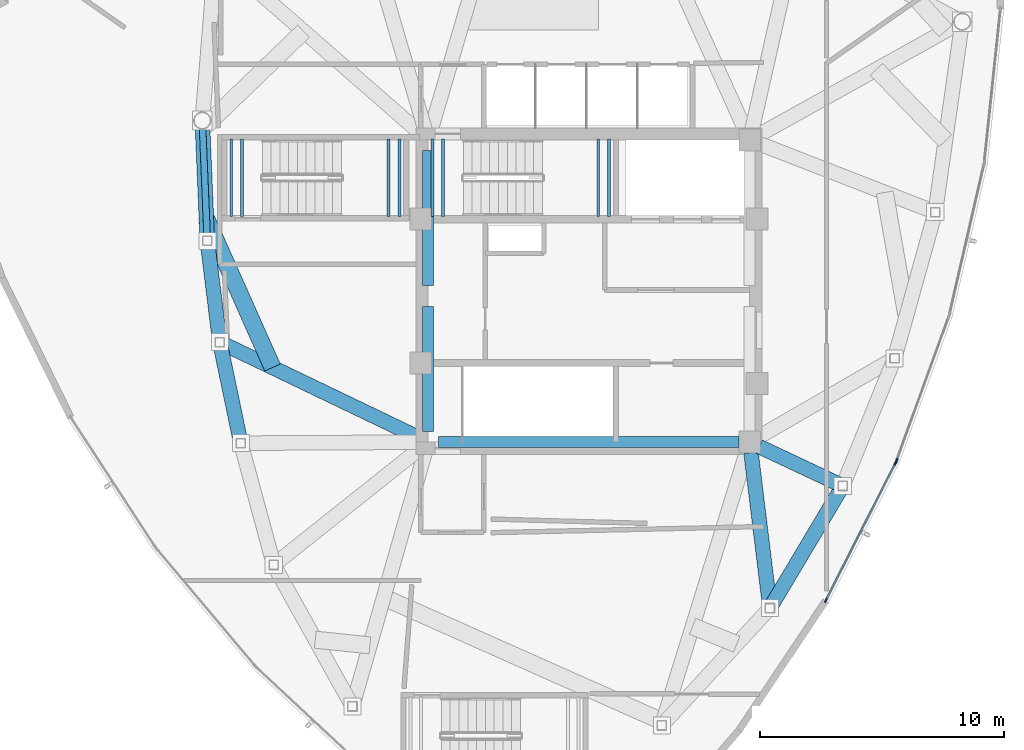
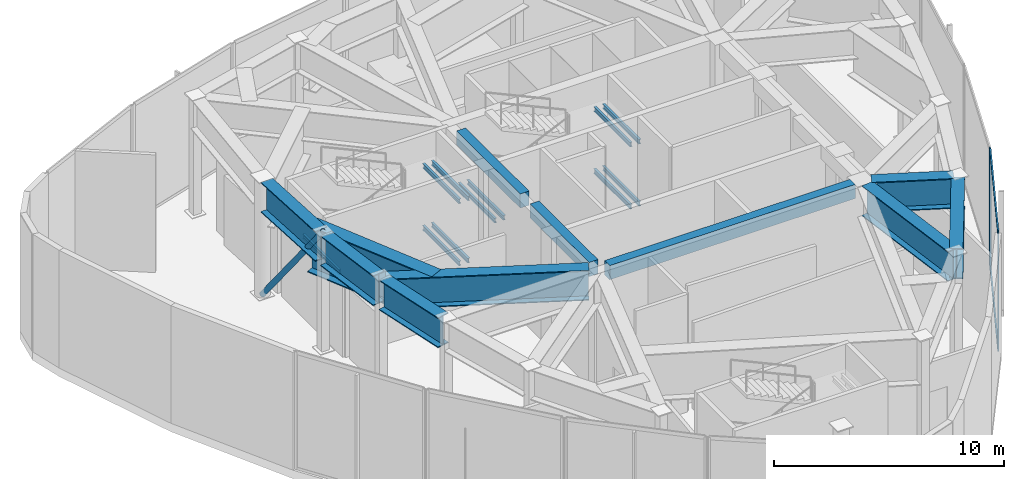
# One storey, part 3 of 13: 23 beams, 6 members, 2 elements without a shape of their own.
"""IFC4 building model written with IfcOpenShell, lengths in metres."""

from ifc_helpers import new_model, si_unit, direction, frame, origin, origin_2d, place, context, subcontext, project, spatial, rectangle, hollow_rectangle, hollow_circle, i_section, extrude, source, transform, mapped, material, layer, layer_set, material_profile, profile_set, type_object, type_shapes, element, aggregate, save


model = new_model("IFC4")

# Units and contexts
model_context = context("Model", 3, precision=1e-05, world=origin(), true_north=direction((0.0, 1.0)))
body_context = subcontext(model_context, "Body", "Model", "MODEL_VIEW")
ifc_project = project(units=[si_unit("LENGTHUNIT", "METRE"), si_unit("AREAUNIT", "SQUARE_METRE"), si_unit("VOLUMEUNIT", "CUBIC_METRE"), si_unit("PLANEANGLEUNIT", "RADIAN"), si_unit("MASSUNIT", "GRAM", prefix="KILO")], contexts=[model_context])

# Site, building, storey
site_placement = place(None, origin())
site = spatial("IfcSite", under=ifc_project, at=site_placement, CompositionType="ELEMENT")
building_placement = place(site_placement, origin())
building = spatial("IfcBuilding", under=site, at=building_placement, Name="Tavelor Broadcast Tower", CompositionType="ELEMENT")
storey_placement = place(building_placement, frame((0.0, 0.0, 325.5)))
storey = spatial("IfcBuildingStorey", under=building, at=storey_placement, Name="L78", CompositionType="ELEMENT", Elevation=325.5)

# Beams
ifc_material_1 = material(Name="Concrete C40/50", Category="concrete")
ifc_material_profile_1 = material_profile(ifc_material_1, rectangle(XDim=0.449951171875, YDim=0.75, at=origin_2d()), Name="RC 450x750")
ifc_profile_set_1 = profile_set([ifc_material_profile_1], Name="Concrete C40/50")
beam_type_1 = type_object("IfcBeamType", Name="Basement Core Trim Beam 450x750", PredefinedType="BEAM", material=ifc_profile_set_1)
beam_1_placement = place(storey_placement, frame((43.39990234375, 45.23193359375, 5.875), z_axis=(0.0, 1.0, 0.0), x_axis=(-1.0, 0.0, 0.0)))
element("IfcBeam", 1, at=beam_1_placement, inside=storey, type_object=beam_type_1, Name="L78 Core West-N Tie Girder", PredefinedType="BEAM", context=body_context, shape_type="SweptSolid", body=[
    extrude(rectangle(XDim=0.449951171875, YDim=0.75, at=origin_2d()), origin(), (0.0, 0.0, 1.0), 5.5361328125),
])
beam_2_placement = place(storey_placement, frame((43.83203125, 38.800048828125, 5.875), z_axis=(1.0, 0.0, 0.0), x_axis=(0.0, 1.0, 0.0)))
element("IfcBeam", 2, at=beam_2_placement, inside=storey, type_object=beam_type_1, Name="L78 Core South Tie Girder", PredefinedType="BEAM", context=body_context, shape_type="SweptSolid", body=[
    extrude(rectangle(XDim=0.449951171875, YDim=0.75, at=origin_2d()), origin(), (0.0, 0.0, 1.0), 12.3359375),
])
beam_3_placement = place(storey_placement, frame((43.39990234375, 39.23193359375, 5.875), z_axis=(0.0, 1.0, 0.0), x_axis=(-1.0, 0.0, 0.0)))
element("IfcBeam", 3, at=beam_3_placement, inside=storey, type_object=beam_type_1, Name="L78 Core West-S Tie Girder", PredefinedType="BEAM", context=body_context, shape_type="SweptSolid", body=[
    extrude(rectangle(XDim=0.449951171875, YDim=0.75, at=origin_2d()), origin(), (0.0, 0.0, 1.0), 5.135986328125),
])
ifc_material_2 = material(Name="Steel S460", Category="steel")
ifc_material_profile_2 = material_profile(ifc_material_2, i_section(OverallWidth=0.60009765625, OverallDepth=1.60009765625, WebThickness=0.028076171875, FlangeThickness=0.048095703125, at=origin_2d()), Name="PG 1600x600")
ifc_profile_set_2 = profile_set([ifc_material_profile_2], Name="Steel S460")
beam_type_2 = type_object("IfcBeamType", Name="Crown and Spire Transfer Girder PG1600", PredefinedType="BEAM", material=ifc_profile_set_2)
beam_4_placement = place(storey_placement, frame((34.149169921875, 51.65478515625, 5.449951171875), z_axis=(0.041837988246, -0.999124408039, 0.0), x_axis=(0.999124408039, 0.041837988246, 0.0)))
element("IfcBeam", 4, at=beam_4_placement, inside=storey, type_object=beam_type_2, Name="L78 Framed-Tube Ring Spandrel 01", PredefinedType="BEAM", context=body_context, shape_type="SweptSolid", body=[
    extrude(i_section(OverallWidth=0.60009765625, OverallDepth=1.60009765625, WebThickness=0.028076171875, FlangeThickness=0.048095703125, at=origin_2d()), origin(), (0.0, 0.0, 1.0), 4.40576171875),
])
beam_5_placement = place(storey_placement, frame((34.364990234375, 46.87060546875, 5.449951171875), z_axis=(0.122298070905, -0.992493416529, 0.0), x_axis=(0.992493416529, 0.122298070905, 0.0)))
element("IfcBeam", 5, at=beam_5_placement, inside=storey, type_object=beam_type_2, Name="L78 Framed-Tube Ring Spandrel 02", PredefinedType="BEAM", context=body_context, shape_type="SweptSolid", body=[
    extrude(i_section(OverallWidth=0.60009765625, OverallDepth=1.60009765625, WebThickness=0.028076171875, FlangeThickness=0.048095703125, at=origin_2d()), origin(), (0.0, 0.0, 1.0), 3.806884765625),
])
beam_6_placement = place(storey_placement, frame((34.893310546875, 42.7138671875, 5.449951171875), z_axis=(0.203708583251, -0.979031569006, 0.0), x_axis=(0.979031569006, 0.203708583251, 0.0)))
element("IfcBeam", 6, at=beam_6_placement, inside=storey, type_object=beam_type_2, Name="L78 Framed-Tube Ring Spandrel 03", PredefinedType="BEAM", context=body_context, shape_type="SweptSolid", body=[
    extrude(i_section(OverallWidth=0.60009765625, OverallDepth=1.60009765625, WebThickness=0.028076171875, FlangeThickness=0.048095703125, at=origin_2d()), origin(), (0.0, 0.0, 1.0), 3.849609375),
])
beam_7_placement = place(storey_placement, frame((57.52978515625, 32.156982421875, 5.449951171875), z_axis=(0.511792514175, 0.859109086458, 0.0), x_axis=(-0.859109086458, 0.511792514175, 0.0)))
element("IfcBeam", 7, at=beam_7_placement, inside=storey, type_object=beam_type_2, Name="L78 Framed-Tube Ring Spandrel 09", PredefinedType="BEAM", context=body_context, shape_type="SweptSolid", body=[
    extrude(i_section(OverallWidth=0.60009765625, OverallDepth=1.60009765625, WebThickness=0.028076171875, FlangeThickness=0.048095703125, at=origin_2d()), origin(), (0.0, 0.0, 1.0), 5.450439453125),
])
beam_8_placement = place(storey_placement, frame((43.010498046875, 38.98681640625, 5.449951171875), z_axis=(-0.901533812655, 0.432708660233, 0.0), x_axis=(-0.432708660233, -0.901533812655, 0.0)))
element("IfcBeam", 8, at=beam_8_placement, inside=storey, type_object=beam_type_2, Name="L78 Radial Primary Floor Girder 03", PredefinedType="BEAM", context=body_context, shape_type="SweptSolid", body=[
    extrude(i_section(OverallWidth=0.60009765625, OverallDepth=1.60009765625, WebThickness=0.028076171875, FlangeThickness=0.048095703125, at=origin_2d()), origin(), (0.0, 0.0, 1.0), 8.85546875),
])
beam_9_placement = place(storey_placement, frame((56.65234375, 38.37109375, 5.449951171875), z_axis=(0.121238833005, -0.992623365316, 0.0), x_axis=(0.992623365316, 0.121238833005, 0.0)))
element("IfcBeam", 9, at=beam_9_placement, inside=storey, type_object=beam_type_2, Name="L78 Radial Primary Floor Girder 09", PredefinedType="BEAM", context=body_context, shape_type="SweptSolid", body=[
    extrude(i_section(OverallWidth=0.60009765625, OverallDepth=1.60009765625, WebThickness=0.028076171875, FlangeThickness=0.048095703125, at=origin_2d()), origin(), (0.0, 0.0, 1.0), 6.234375),
])
beam_10_placement = place(storey_placement, frame((56.990966796875, 38.6162109375, 5.449951171875), z_axis=(0.904900260626, -0.425623681578, 0.0), x_axis=(0.425623681578, 0.904900260626, 0.0)))
element("IfcBeam", 10, at=beam_10_placement, inside=storey, type_object=beam_type_2, Name="L78 Radial Primary Floor Girder 10", PredefinedType="BEAM", context=body_context, shape_type="SweptSolid", body=[
    extrude(i_section(OverallWidth=0.60009765625, OverallDepth=1.60009765625, WebThickness=0.028076171875, FlangeThickness=0.048095703125, at=origin_2d()), origin(), (0.0, 0.0, 1.0), 3.5947265625),
])
ifc_material_profile_3 = material_profile(ifc_material_2, i_section(OverallWidth=0.699951171875, OverallDepth=2.5, WebThickness=0.031982421875, FlangeThickness=0.052001953125, at=origin_2d()), Name="PG 2500x700")
ifc_profile_set_3 = profile_set([ifc_material_profile_3], Name="Steel S460")
beam_type_3 = type_object("IfcBeamType", Name="Opposite Slide Transfer Girder HEB900", PredefinedType="BEAM", material=ifc_profile_set_3)
beam_11_placement = place(storey_placement, frame((37.017822265625, 41.86328125, 5.0), z_axis=(-0.406749488566, 0.913539738354, 0.0), x_axis=(-0.913539738354, -0.406749488566, 0.0)))
element("IfcBeam", 11, at=beam_11_placement, inside=storey, type_object=beam_type_3, Name="L78 Transfer Header Girder 03", PredefinedType="BEAM", context=body_context, shape_type="SweptSolid", body=[
    extrude(i_section(OverallWidth=0.699951171875, OverallDepth=2.5, WebThickness=0.031982421875, FlangeThickness=0.052001953125, at=origin_2d()), origin(), (0.0, 0.0, 1.0), 6.672119140625),
])

# Member
ifc_material_3 = material(Name="Steel S355", Category="steel")
ifc_material_profile_4 = material_profile(ifc_material_3, hollow_circle(Radius=0.136474609375, WallThickness=0.012451171875, at=origin_2d()), Name="CHS 273x12.5")
ifc_profile_set_4 = profile_set([ifc_material_profile_4], Name="Steel S355")
member_type_1 = type_object("IfcMemberType", Name="Perimeter Tube Brace T8 CHS 273x12.5", PredefinedType="BRACE", material=ifc_profile_set_4)
member_1_placement = place(storey_placement, frame((34.134765625, 51.995849609375, 0.0), z_axis=(0.025959104067, -0.619463295628, 0.784596297649), x_axis=(0.999123106787, 0.041869051625, 0.0)))
element("IfcMember", 12, at=member_1_placement, inside=storey, type_object=member_type_1, Name="L78 Corner Tube Diagonal Brace 1", PredefinedType="BRACE", context=body_context, shape_type="SweptSolid", body=[
    extrude(hollow_circle(Radius=0.136474609375, WallThickness=0.012451171875, at=origin_2d()), origin(), (0.0, 0.0, 1.0), 7.9658203125),
])

# Beams
ifc_material_profile_5 = material_profile(ifc_material_3, i_section(OverallWidth=0.1201171875, OverallDepth=0.239990234375, WebThickness=0.006103515625, FlangeThickness=0.009765625, at=origin_2d()), Name="IPE 240")
ifc_profile_set_5 = profile_set([ifc_material_profile_5], Name="Steel S355")
beam_type_4 = type_object("IfcBeamType", Name="Stairwell Landing Support Trimmer Beam IPE240", PredefinedType="BEAM", material=ifc_profile_set_5)
for number, where, z_axis, x_axis, name in (
    (13, (50.385009765625, 48.06005859375, 1.3349609375), (0.0, 1.0, 0.0), (-1.0, 0.0, 0.0), "L78 Stair Landing Support Beam 197"),
    (14, (50.824951171875, 48.06005859375, 1.3349609375), (0.0, 1.0, 0.0), (-1.0, 0.0, 0.0), "L78 Stair Landing Support Beam 198"),
    (15, (43.574951171875, 48.06005859375, 2.985107421875), (0.0, 1.0, 0.0), (-1.0, 0.0, 0.0), "L78 Stair Landing Support Beam 199"),
    (16, (44.014892578125, 48.06005859375, 2.985107421875), (0.0, 1.0, 0.0), (-1.0, 0.0, 0.0), "L78 Stair Landing Support Beam 200"),
    (17, (50.385009765625, 48.06005859375, 4.635009765625), (0.0, 1.0, 0.0), (-1.0, 0.0, 0.0), "L78 Stair Landing Support Beam 201"),
    (18, (50.824951171875, 48.06005859375, 4.635009765625), (0.0, 1.0, 0.0), (-1.0, 0.0, 0.0), "L78 Stair Landing Support Beam 202"),
    (19, (41.784912109375, 48.06005859375, 1.3349609375), (0.0, 1.0, 0.0), (-1.0, 0.0, 0.0), "L78 Stair Landing Support Beam 467"),
    (20, (42.22509765625, 48.06005859375, 1.3349609375), (0.0, 1.0, 0.0), (-1.0, 0.0, 0.0), "L78 Stair Landing Support Beam 468"),
    (21, (35.324951171875, 48.06005859375, 2.985107421875), (0.0, 1.0, 0.0), (-1.0, 0.0, 0.0), "L78 Stair Landing Support Beam 469"),
    (22, (35.764892578125, 48.06005859375, 2.985107421875), (0.0, 1.0, 0.0), (-1.0, 0.0, 0.0), "L78 Stair Landing Support Beam 470"),
    (23, (41.784912109375, 48.06005859375, 4.635009765625), (0.0, 1.0, 0.0), (-1.0, 0.0, 0.0), "L78 Stair Landing Support Beam 471"),
    (24, (42.22509765625, 48.06005859375, 4.635009765625), (0.0, 1.0, 0.0), (-1.0, 0.0, 0.0), "L78 Stair Landing Support Beam 472"),
):
    element("IfcBeam", number, at=place(storey_placement, frame(where, z_axis=z_axis, x_axis=x_axis)), inside=storey, type_object=beam_type_4, Name=name, PredefinedType="BEAM", context=body_context, shape_type="SweptSolid", body=[
        extrude(i_section(OverallWidth=0.1201171875, OverallDepth=0.239990234375, WebThickness=0.006103515625, FlangeThickness=0.009765625, at=origin_2d()), origin(), (0.0, 0.0, 1.0), 3.179931640625),
    ])

# Curtain wall, members
ifc_material_4 = material(Name="Architectural Anodized Aluminium", Category="aluminium")
ifc_layer = layer(ifc_material_4, 0.199951171875)
ifc_layer_set = layer_set([ifc_layer], Name="Architectural Anodized Aluminium")
curtain_wall_type = type_object("IfcCurtainWallType", Name="Tower High-Zone Triple-Glazed Curtain Wall CW04", PredefinedType="NOTDEFINED", material=ifc_layer_set)
curtain_wall_1_placement = place(storey_placement, origin())
curtain_wall_1 = element("IfcCurtainWall", 25, at=curtain_wall_1_placement, inside=storey, type_object=curtain_wall_type, Name="L78 Curtain Wall CW04 Run 869", PredefinedType="NOTDEFINED")
ifc_material_profile_6 = material_profile(ifc_material_4, hollow_rectangle(XDim=0.070068359375, YDim=0.199951171875, WallThickness=0.02197265625, at=origin_2d()), Name="RHS 70x200x22")
ifc_profile_set_6 = profile_set([ifc_material_profile_6], Name="Architectural Anodized Aluminium")
member_type_2 = type_object("IfcMemberType", Name="CW04 Extruded Aluminium Mullion 70x200", PredefinedType="MULLION", material=ifc_profile_set_6)
shared_shape_1 = source(origin(), body_context, "Body", "SweptSolid", [
    extrude(hollow_rectangle(XDim=0.070068359375, YDim=0.199951171875, WallThickness=0.02197265625, at=origin_2d()), origin(), (0.0, 0.0, 1.0), 6.25),
])
type_shapes(member_type_2, [shared_shape_1])
member_2_placement = place(storey_placement, frame((59.732666015625, 32.312744140625, 0.0), z_axis=(0.0, 0.0, 1.0), x_axis=(-0.891997354118, 0.452040617917, 0.0)))
member_2 = element("IfcMember", 26, at=member_2_placement, type_object=member_type_2, Name="CW04 mullion 1", PredefinedType="MULLION", context=body_context, shape_type="MappedRepresentation", body=[
    mapped(shared_shape_1, transform((0.0, 0.0, 0.0), scale=1.0)),
])
member_3_placement = place(storey_placement, frame((62.585205078125, 37.941650390625, 0.0), z_axis=(0.0, 0.0, 1.0), x_axis=(-0.891997354118, 0.452040617917, 0.0)))
member_3 = element("IfcMember", 27, at=member_3_placement, type_object=member_type_2, Name="CW04 mullion 2", PredefinedType="MULLION", context=body_context, shape_type="MappedRepresentation", body=[
    mapped(shared_shape_1, transform((0.0, 0.0, 0.0), scale=1.0)),
])

# Curtain wall, member
curtain_wall_2_placement = place(storey_placement, origin())
curtain_wall_2 = element("IfcCurtainWall", 28, at=curtain_wall_2_placement, inside=storey, type_object=curtain_wall_type, Name="L78 Curtain Wall CW04 Run 870", PredefinedType="NOTDEFINED")
member_4_placement = place(storey_placement, frame((62.625, 38.033203125, 0.0), z_axis=(0.0, 0.0, 1.0), x_axis=(-0.940140154662, 0.340788042033, 0.0)))
member_4 = element("IfcMember", 29, at=member_4_placement, type_object=member_type_2, Name="CW04 mullion 1", PredefinedType="MULLION", context=body_context, shape_type="MappedRepresentation", body=[
    mapped(shared_shape_1, transform((0.0, 0.0, 0.0), scale=1.0)),
])
aggregate(curtain_wall_2, [member_4])

# Member
ifc_material_profile_7 = material_profile(ifc_material_4, hollow_rectangle(XDim=0.070068359375, YDim=0.199951171875, WallThickness=0.02197265625, at=origin_2d()), Name="RHS 70x200x22")
ifc_profile_set_7 = profile_set([ifc_material_profile_7], Name="Architectural Anodized Aluminium")
member_type_3 = type_object("IfcMemberType", Name="CW04 Extruded Aluminium Transom 70x200", PredefinedType="USERDEFINED", material=ifc_profile_set_7)
shared_shape_2 = source(origin(), body_context, "Body", "SweptSolid", [
    extrude(hollow_rectangle(XDim=0.070068359375, YDim=0.199951171875, WallThickness=0.02197265625, at=origin_2d()), origin(), (0.0, 0.0, 1.0), 6.240234375),
])
type_shapes(member_type_3, [shared_shape_2])
member_5_placement = place(storey_placement, frame((59.74853515625, 32.343994140625, 0.034912109375), z_axis=(0.452027054595, 0.89200422752, 0.0), x_axis=(-0.89200422752, 0.452027054595, 0.0)))
member_5 = element("IfcMember", 30, at=member_5_placement, type_object=member_type_3, Name="CW04 transom 1.1", ObjectType="TRANSOM", PredefinedType="USERDEFINED", context=body_context, shape_type="MappedRepresentation", body=[
    mapped(shared_shape_2, transform((0.0, 0.0, 0.0), scale=1.0)),
])

member_6_placement = place(storey_placement, frame((59.74853515625, 32.343994140625, 6.215087890625), z_axis=(0.452027054595, 0.89200422752, 0.0), x_axis=(-0.89200422752, 0.452027054595, 0.0)))
member_6 = element("IfcMember", 31, at=member_6_placement, type_object=member_type_3, Name="CW04 transom 1.2", ObjectType="TRANSOM", PredefinedType="USERDEFINED", context=body_context, shape_type="MappedRepresentation", body=[
    mapped(shared_shape_2, transform((0.0, 0.0, 0.0), scale=1.0)),
])

aggregate(curtain_wall_1, [member_2, member_3, member_5, member_6])

save(model, "model.ifc")
